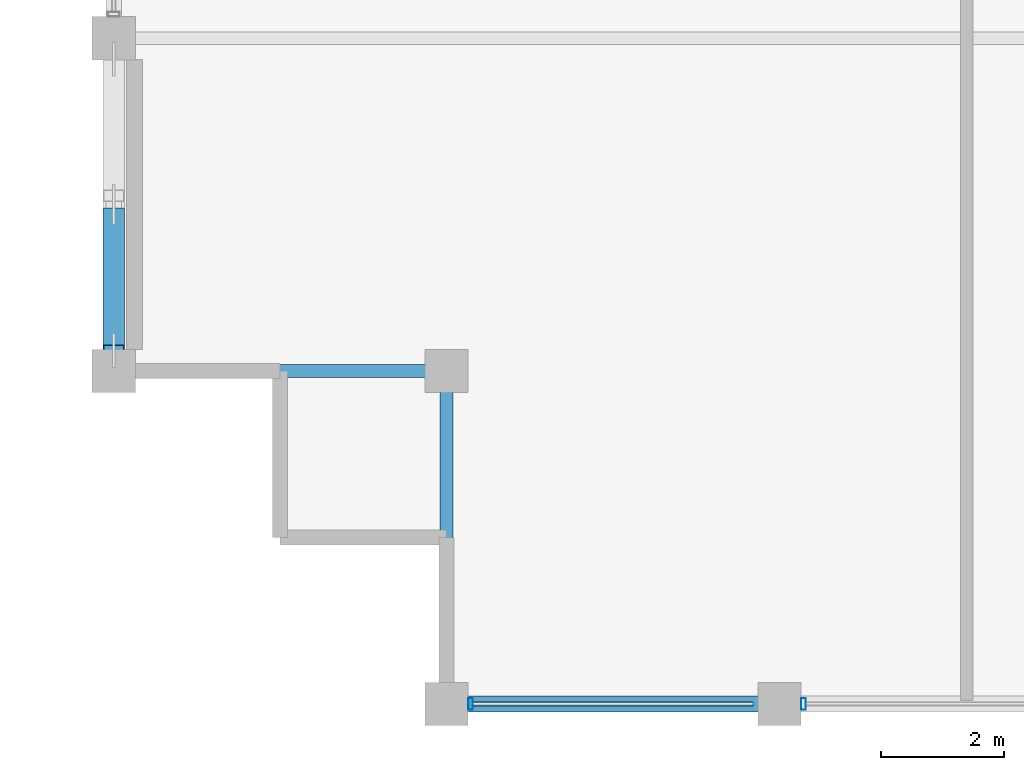
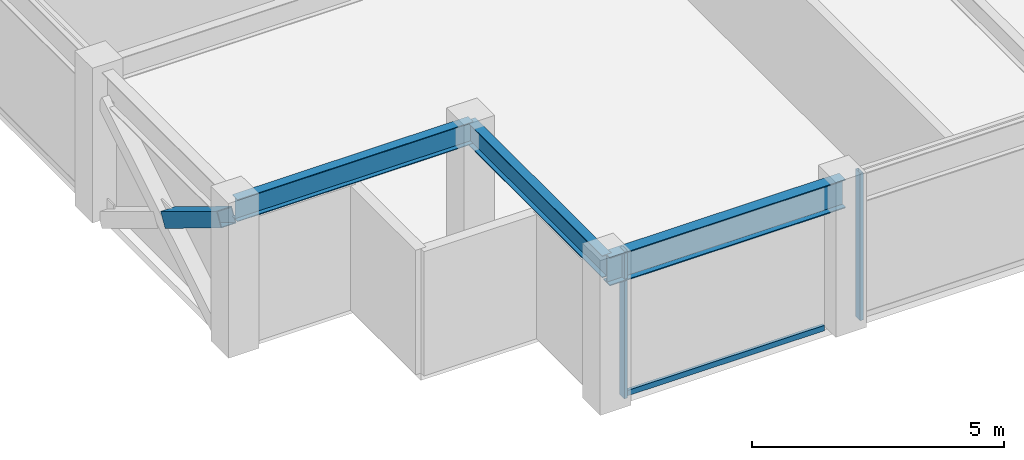
# One storey, part 2 of 30: 4 members, 3 beams, 1 element without a shape of its own.
"""IFC4 building model written with IfcOpenShell, lengths in metres."""

from ifc_helpers import new_model, si_unit, direction, frame, origin, origin_2d, place, context, subcontext, project, spatial, hollow_rectangle, i_section, extrude, material, layer, layer_set, material_profile, profile_set, type_object, element, aggregate, save


model = new_model("IFC4")

# Units and contexts
model_context = context("Model", 3, precision=1e-05, world=origin(), true_north=direction((0.0, 1.0)))
body_context = subcontext(model_context, "Body", "Model", "MODEL_VIEW")
ifc_project = project(units=[si_unit("LENGTHUNIT", "METRE"), si_unit("AREAUNIT", "SQUARE_METRE"), si_unit("VOLUMEUNIT", "CUBIC_METRE"), si_unit("PLANEANGLEUNIT", "RADIAN"), si_unit("MASSUNIT", "GRAM", prefix="KILO")], contexts=[model_context])

# Site, building, storey
site_placement = place(None, origin())
site = spatial("IfcSite", under=ifc_project, at=site_placement, CompositionType="ELEMENT")
building_placement = place(site_placement, origin())
building = spatial("IfcBuilding", under=site, at=building_placement, Name="Surkhivell Harbour Commons", CompositionType="ELEMENT")
storey_placement = place(building_placement, frame((0.0, 0.0, 307.5)))
storey = spatial("IfcBuildingStorey", under=building, at=storey_placement, Name="L80", CompositionType="ELEMENT", Elevation=307.5)

# Beams
ifc_material_1 = material(Name="Steel S355", Category="steel")
ifc_material_profile_1 = material_profile(ifc_material_1, i_section(OverallWidth=0.2099609375, OverallDepth=0.537109375, WebThickness=0.0107421875, FlangeThickness=0.017333984375, at=origin_2d()), Name="UB533x210x101")
ifc_profile_set_1 = profile_set([ifc_material_profile_1], Name="Steel S355")
beam_type_1 = type_object("IfcBeamType", Name="BM-GRD-533B", PredefinedType="BEAM", material=ifc_profile_set_1)
beam_1_placement = place(storey_placement, frame((-27.0, -16.199951171875, 3.301513671875), z_axis=(1.0, 0.0, 0.0), x_axis=(0.0, 1.0, 0.0)))
element("IfcBeam", 1, at=beam_1_placement, inside=storey, type_object=beam_type_1, Name="L80 Floor Girder (-27.0,-16.2)", PredefinedType="BEAM", context=body_context, shape_type="SweptSolid", body=[
    extrude(i_section(OverallWidth=0.2099609375, OverallDepth=0.537109375, WebThickness=0.0107421875, FlangeThickness=0.017333984375, at=origin_2d()), origin(), (0.0, 0.0, 1.0), 5.39990234375),
])
beam_2_placement = place(storey_placement, frame((-21.60009765625, -21.60009765625, 3.301513671875), z_axis=(0.0, 1.0, 0.0), x_axis=(-1.0, 0.0, 0.0)))
element("IfcBeam", 2, at=beam_2_placement, inside=storey, type_object=beam_type_1, Name="L80 Floor Girder (-21.6,-21.6)", PredefinedType="BEAM", context=body_context, shape_type="SweptSolid", body=[
    extrude(i_section(OverallWidth=0.2099609375, OverallDepth=0.537109375, WebThickness=0.0107421875, FlangeThickness=0.017333984375, at=origin_2d()), origin(), (0.0, 0.0, 1.0), 5.400146484375),
])
ifc_material_profile_2 = material_profile(ifc_material_1, i_section(OverallWidth=0.256103515625, OverallDepth=0.693115234375, WebThickness=0.014404296875, FlangeThickness=0.023681640625, at=origin_2d()), Name="UB686x254x170")
ifc_profile_set_2 = profile_set([ifc_material_profile_2], Name="Steel S355")
beam_type_2 = type_object("IfcBeamType", Name="BM-SPN-686", PredefinedType="SPANDREL", material=ifc_profile_set_2)
beam_3_placement = place(storey_placement, frame((-21.60009765625, -21.60009765625, 3.223388671875), z_axis=(1.0, 0.0, 0.0), x_axis=(0.0, 1.0, 0.0)))
element("IfcBeam", 3, at=beam_3_placement, inside=storey, type_object=beam_type_2, Name="L80 Tube Spandrel (-21.6,-21.6)", PredefinedType="SPANDREL", context=body_context, shape_type="SweptSolid", body=[
    extrude(i_section(OverallWidth=0.256103515625, OverallDepth=0.693115234375, WebThickness=0.014404296875, FlangeThickness=0.023681640625, at=origin_2d()), origin(), (0.0, 0.0, 1.0), 5.400146484375),
])

# Curtain wall, members
ifc_material_2 = material(Name="Anodised pale-metal aluminium and insulated glazing", Category="aluminium")
ifc_layer = layer(ifc_material_2, 0.175048828125)
ifc_layer_set = layer_set([ifc_layer], Name="Anodised pale-metal aluminium and insulated glazing")
curtain_wall_type = type_object("IfcCurtainWallType", Name="CW-SYS-Z4", PredefinedType="NOTDEFINED", material=ifc_layer_set)
curtain_wall_placement = place(storey_placement, origin())
curtain_wall = element("IfcCurtainWall", 4, at=curtain_wall_placement, inside=storey, type_object=curtain_wall_type, Name="L80 Curtain Wall CW-L80-E00S1", PredefinedType="NOTDEFINED")
ifc_material_3 = material(Name="Anodised pale-metal aluminium alloy 6063-T6", Category="aluminium")
ifc_material_profile_3 = material_profile(ifc_material_3, hollow_rectangle(XDim=0.074951171875, YDim=0.18994140625, WallThickness=0.00390625, at=origin_2d()), Name="ALU-MULL-75x190")
ifc_profile_set_3 = profile_set([ifc_material_profile_3], Name="Anodised pale-metal aluminium alloy 6063-T6")
member_type_1 = type_object("IfcMemberType", Name="CWM-190", PredefinedType="MULLION", material=ifc_profile_set_3)
member_1_placement = place(storey_placement, frame((-21.21044921875, -21.60009765625, 0.0), z_axis=(0.0, 0.0, 1.0), x_axis=(1.0, 0.0, 0.0)))
member_1 = element("IfcMember", 5, at=member_1_placement, type_object=member_type_1, Name="CW-Z4 mullion 1", PredefinedType="MULLION", context=body_context, shape_type="SweptSolid", body=[
    extrude(hollow_rectangle(XDim=0.074951171875, YDim=0.18994140625, WallThickness=0.00390625, at=origin_2d()), origin(), (0.0, 0.0, 1.0), 3.570068359375),
])
member_2_placement = place(storey_placement, frame((-15.810546875, -21.60009765625, 0.0), z_axis=(0.0, 0.0, 1.0), x_axis=(1.0, 0.0, 0.0)))
member_2 = element("IfcMember", 6, at=member_2_placement, type_object=member_type_1, Name="CW-Z4 mullion 2", PredefinedType="MULLION", context=body_context, shape_type="SweptSolid", body=[
    extrude(hollow_rectangle(XDim=0.074951171875, YDim=0.18994140625, WallThickness=0.00390625, at=origin_2d()), origin(), (0.0, 0.0, 1.0), 3.570068359375),
])
ifc_material_4 = material(Name="Champagne anodised aluminium alloy 6063-T6", Category="aluminium")
ifc_material_profile_4 = material_profile(ifc_material_4, hollow_rectangle(XDim=0.070068359375, YDim=0.1298828125, WallThickness=0.00341796875, at=origin_2d()), Name="ALU-TRAN-70x130")
ifc_profile_set_4 = profile_set([ifc_material_profile_4], Name="Champagne anodised aluminium alloy 6063-T6")
member_type_2 = type_object("IfcMemberType", Name="CWT-130", PredefinedType="USERDEFINED", material=ifc_profile_set_4)
member_3_placement = place(storey_placement, frame((-21.173095703125, -21.60009765625, 0.06494140625), z_axis=(1.0, 0.0, 0.0), x_axis=(0.0, 1.0, 0.0)))
member_3 = element("IfcMember", 7, at=member_3_placement, type_object=member_type_2, Name="CW-Z4 transom 1.1", ObjectType="TRANSOM", PredefinedType="USERDEFINED", context=body_context, shape_type="SweptSolid", body=[
    extrude(hollow_rectangle(XDim=0.070068359375, YDim=0.1298828125, WallThickness=0.00341796875, at=origin_2d()), origin(), (0.0, 0.0, 1.0), 4.546142578125),
])
aggregate(curtain_wall, [member_1, member_3, member_2])

# Member
ifc_material_profile_5 = material_profile(ifc_material_1, hollow_rectangle(XDim=0.35009765625, YDim=0.35009765625, WallThickness=0.01611328125, at=origin_2d()), Name="SHS350x350x16")
ifc_profile_set_5 = profile_set([ifc_material_profile_5], Name="Steel S355")
member_type_3 = type_object("IfcMemberType", Name="MEM-BRC-SHS350", PredefinedType="BRACE", material=ifc_profile_set_5)
member_4_placement = place(storey_placement, frame((-27.0, -13.6435546875, 1.53173828125), z_axis=(0.0, -0.854678858595, 0.51915705588), x_axis=(1.0, 0.0, 0.0)))
element("IfcMember", 8, at=member_4_placement, inside=storey, type_object=member_type_3, Name="L80 Perimeter Mega-Brace MB- 12", PredefinedType="BRACE", context=body_context, shape_type="SweptSolid", body=[
    extrude(hollow_rectangle(XDim=0.35009765625, YDim=0.35009765625, WallThickness=0.01611328125, at=origin_2d()), origin(), (0.0, 0.0, 1.0), 2.59912109375),
])

save(model, "model.ifc")
